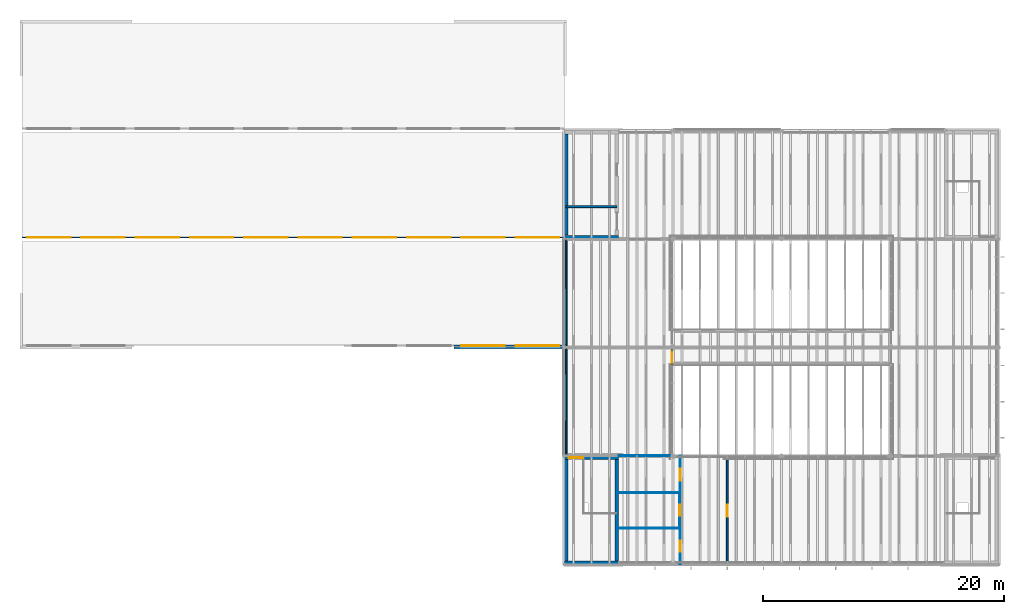
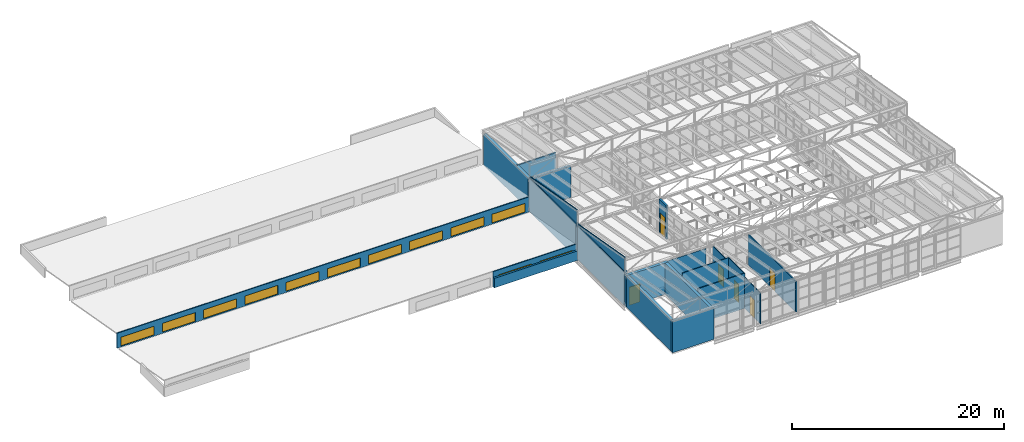
"""IFC4 building model written with IfcOpenShell, lengths in metres."""

from ifc_helpers import new_model, si_unit, direction, frame, frame_2d, origin, place, context, subcontext, project, spatial, polyline, rectangle, outline, extrude, material, layer, layer_set, type_object, element, fill, save


model = new_model("IFC4")

# Units and contexts
model_context = context("Model", 3, precision=1e-05, world=origin(), true_north=direction((0.0, 1.0)))
body_context = subcontext(model_context, "Body", "Model", "MODEL_VIEW")
ifc_project = project(units=[si_unit("LENGTHUNIT", "METRE"), si_unit("AREAUNIT", "SQUARE_METRE"), si_unit("VOLUMEUNIT", "CUBIC_METRE"), si_unit("PLANEANGLEUNIT", "RADIAN"), si_unit("MASSUNIT", "GRAM", prefix="KILO")], contexts=[model_context])

# Site, building, storey
site_placement = place(None, origin())
site = spatial("IfcSite", under=ifc_project, at=site_placement, CompositionType="ELEMENT")
building_placement = place(site_placement, origin())
building = spatial("IfcBuilding", under=site, at=building_placement, Name="Halyard Row Museum", CompositionType="ELEMENT")
storey_1_placement = place(building_placement, frame((0.0, 0.0, 21.199951171875)))
storey_1 = spatial("IfcBuildingStorey", under=building, at=storey_1_placement, Name="L04", CompositionType="ELEMENT", Elevation=21.199951171875)

# Walls
ifc_material_1 = material(Name="Timber battens on insulated steel-stud wall", Category="steel")
ifc_layer_1 = layer(ifc_material_1, 0.320068359375)
ifc_layer_set_1 = layer_set([ifc_layer_1], Name="Timber battens on insulated steel-stud wall")
wall_type_1 = type_object("IfcWallType", Name="Batten rainscreen wall 320 deep reveal", PredefinedType="SOLIDWALL", material=ifc_layer_set_1)
for number, where, z_axis, x_axis, name in (
    (1, (72.10009765625, 18.125, 0.0), (0.0, 0.0, 1.0), (0.0, 1.0, 0.0), "Wall WL04-802"),
    (2, (72.10009765625, 9.0, 0.0), (0.0, 0.0, 1.0), (0.0, 1.0, 0.0), "Wall WL04-803"),
):
    element("IfcWall", number, at=place(storey_1_placement, frame(where, z_axis=z_axis, x_axis=x_axis)), inside=storey_1, type_object=wall_type_1, Name=name, PredefinedType="SOLIDWALL", context=body_context, shape_type="SweptSolid", body=[
        extrude(rectangle(XDim=8.875, YDim=0.320068359375, at=frame_2d((4.4375, 0.0))), origin(), (0.0, 0.0, 1.0), 3.878173828125),
    ])
ifc_material_2 = material(Name="Concrete 40 MPa", Category="concrete")
ifc_layer_2 = layer(ifc_material_2, 0.300048828125)
ifc_layer_set_2 = layer_set([ifc_layer_2], Name="Concrete 40 MPa")
wall_type_2 = type_object("IfcWallType", Name="Core wall 300 lift shaft", PredefinedType="SOLIDWALL", material=ifc_layer_set_2)
wall_1_placement = place(storey_1_placement, frame((72.0, 27.14990234375, 0.0), z_axis=(0.0, 0.0, 1.0), x_axis=(1.0, 0.0, 0.0)))
element("IfcWall", 3, at=wall_1_placement, inside=storey_1, type_object=wall_type_2, Name="Core wall K7 S L04", PredefinedType="SOLIDWALL", context=body_context, shape_type="SweptSolid", body=[
    extrude(rectangle(XDim=4.5, YDim=0.300048828125, at=frame_2d((2.25, 0.0))), origin(), (0.0, 0.0, 1.0), 3.628173828125),
])
wall_2_placement = place(storey_1_placement, frame((72.14990234375, 27.300048828125, 0.0), z_axis=(0.0, 0.0, 1.0), x_axis=(0.0, 1.0, 0.0)))
element("IfcWall", 4, at=wall_2_placement, inside=storey_1, type_object=wall_type_2, Name="Core wall K7 W L04", PredefinedType="SOLIDWALL", context=body_context, shape_type="SweptSolid", body=[
    extrude(rectangle(XDim=8.39990234375, YDim=0.300048828125, at=frame_2d((4.199951171875, 0.0))), origin(), (0.0, 0.0, 1.0), 3.628173828125),
])
ifc_material_3 = material(Name="Concrete 40 MPa", Category="concrete")
ifc_layer_3 = layer(ifc_material_3, 0.300048828125)
ifc_layer_set_3 = layer_set([ifc_layer_3], Name="Concrete 40 MPa")
wall_type_3 = type_object("IfcWallType", Name="Exitway wall 300 reinforced concrete", PredefinedType="SOLIDWALL", material=ifc_layer_set_3)
wall_3_placement = place(storey_1_placement, frame((72.0, 0.14990234375, 0.0), z_axis=(0.0, 0.0, 1.0), x_axis=(1.0, 0.0, 0.0)))
element("IfcWall", 5, at=wall_3_placement, inside=storey_1, type_object=wall_type_3, Name="Core wall K2A S L04", PredefinedType="SOLIDWALL", context=body_context, shape_type="SweptSolid", body=[
    extrude(rectangle(XDim=4.5, YDim=0.300048828125, at=frame_2d((2.25, 0.0))), origin(), (0.0, 0.0, 1.0), 3.628173828125),
])
wall_4_placement = place(storey_1_placement, frame((76.35009765625, 0.300048828125, 0.0), z_axis=(0.0, 0.0, 1.0), x_axis=(0.0, 1.0, 0.0)))
element("IfcWall", 6, at=wall_4_placement, inside=storey_1, type_object=wall_type_3, Name="Core wall K2A E L04", PredefinedType="SOLIDWALL", context=body_context, shape_type="SweptSolid", body=[
    extrude(rectangle(XDim=8.39990234375, YDim=0.300048828125, at=frame_2d((4.199951171875, 0.0))), origin(), (0.0, 0.0, 1.0), 3.628173828125),
])

# Wall, opening, door
wall_5_placement = place(storey_1_placement, frame((72.0, 8.85009765625, 0.0), z_axis=(0.0, 0.0, 1.0), x_axis=(1.0, 0.0, 0.0)))
wall_5 = element("IfcWall", 7, at=wall_5_placement, inside=storey_1, type_object=wall_type_3, Name="Core wall K2A N L04", PredefinedType="SOLIDWALL", context=body_context, shape_type="SweptSolid", body=[
    extrude(rectangle(XDim=4.5, YDim=0.300048828125, at=frame_2d((2.25, 0.0))), origin(), (0.0, 0.0, 1.0), 3.628173828125),
])
opening_1_placement = place(wall_5_placement, frame((0.35009765625, 0.0, 0.0)))
opening_1 = element("IfcOpeningElement", 8, at=opening_1_placement, cuts=wall_5, Name="Opening DL04-001", PredefinedType="OPENING", context=body_context, shape_type="SweptSolid", body=[
    extrude(rectangle(XDim=1.199951171875, YDim=2.10009765625, at=frame_2d((0.60009765625, 1.050048828125))), frame((0.0, 0.159912109375, 0.0), z_axis=(0.0, -1.0, 0.0), x_axis=(1.0, 0.0, 0.0)), (0.0, 0.0, 1.0), 0.320068359375),
])
ifc_material_4 = material(Name="Fire-resisting timber door leaf and steel frame", Category="steel")
door_type_1 = type_object("IfcDoorType", Name="Exitway door 1200 x 2100 fire rated", OperationType="NOTDEFINED", PredefinedType="DOOR", material=ifc_material_4)
door_1_placement = place(opening_1_placement, frame((1.199951171875, 0.0, 0.0), z_axis=(0.0, 0.0, 1.0), x_axis=(-1.0, 0.0, 0.0)))
door_1 = element("IfcDoor", 9, at=door_1_placement, inside=storey_1, type_object=door_type_1, Name="Exitway door K2A L04", OperationType="SINGLE_SWING_LEFT", OverallHeight=2.10009765625, OverallWidth=1.199951171875, PredefinedType="DOOR", context=body_context, shape_type="SweptSolid", body=[
    extrude(rectangle(XDim=1.199951171875, YDim=2.10009765625, at=frame_2d((0.60009765625, 1.050048828125))), frame((0.0, 0.02490234375, 0.0), z_axis=(0.0, -1.0, 0.0), x_axis=(1.0, 0.0, 0.0)), (0.0, 0.0, 1.0), 0.050048828125),
])
fill(opening_1, door_1)

# Wall
wall_6_placement = place(storey_1_placement, frame((72.14990234375, 0.300048828125, 0.0), z_axis=(0.0, 0.0, 1.0), x_axis=(0.0, 1.0, 0.0)))
element("IfcWall", 10, at=wall_6_placement, inside=storey_1, type_object=wall_type_3, Name="Core wall K2A W L04", PredefinedType="SOLIDWALL", context=body_context, shape_type="SweptSolid", body=[
    extrude(rectangle(XDim=8.39990234375, YDim=0.300048828125, at=frame_2d((4.199951171875, 0.0))), origin(), (0.0, 0.0, 1.0), 3.628173828125),
])

# Wall, opening, door
ifc_material_5 = material(Name="Powder-coated aluminium section", Category="aluminium")
ifc_layer_4 = layer(ifc_material_5, 0.199951171875)
ifc_layer_set_4 = layer_set([ifc_layer_4], Name="Powder-coated aluminium section")
wall_type_4 = type_object("IfcWallType", Name="Fire-resisting screen frame 200", PredefinedType="SOLIDWALL", material=ifc_layer_set_4)
wall_7_placement = place(storey_1_placement, frame((80.919921875, 16.5, 0.0), z_axis=(0.0, 0.0, 1.0), x_axis=(0.0, 1.0, 0.0)))
wall_7 = element("IfcWall", 11, at=wall_7_placement, inside=storey_1, type_object=wall_type_4, Name="Wall WL04-807", PredefinedType="SOLIDWALL", context=body_context, shape_type="SweptSolid", body=[
    extrude(rectangle(XDim=1.322265625, YDim=0.199951171875, at=frame_2d((0.6611328125, 0.0))), origin(), (0.0, 0.0, 1.0), 3.878173828125),
])
opening_2_placement = place(wall_7_placement, frame((0.1611328125, 0.0, 0.0)))
opening_2 = element("IfcOpeningElement", 12, at=opening_2_placement, cuts=wall_7, Name="Opening DL04-403", PredefinedType="OPENING", context=body_context, shape_type="SweptSolid", body=[
    extrude(rectangle(XDim=1.0, YDim=2.39990234375, at=frame_2d((0.5, 1.199951171875))), frame((0.0, 0.10986328125, 0.0), z_axis=(0.0, -1.0, 0.0), x_axis=(1.0, 0.0, 0.0)), (0.0, 0.0, 1.0), 0.219970703125),
])
ifc_material_6 = material(Name="Powder-coated aluminium section", Category="aluminium")
door_type_2 = type_object("IfcDoorType", Name="Door DE10 atrium screen single 1000 x 2400", OperationType="NOTDEFINED", PredefinedType="DOOR", material=ifc_material_6)
door_2_placement = place(opening_2_placement, origin())
door_2 = element("IfcDoor", 13, at=door_2_placement, inside=storey_1, type_object=door_type_2, Name="Door DL04-403", OperationType="SINGLE_SWING_LEFT", OverallHeight=2.39990234375, OverallWidth=1.0, PredefinedType="DOOR", context=body_context, shape_type="SweptSolid", body=[
    extrude(rectangle(XDim=1.0, YDim=2.39990234375, at=frame_2d((0.5, 1.199951171875))), frame((0.0, 0.02490234375, 0.0), z_axis=(0.0, -1.0, 0.0), x_axis=(1.0, 0.0, 0.0)), (0.0, 0.0, 1.0), 0.050048828125),
])
fill(opening_2, door_2)

# Walls
ifc_material_7 = material(Name="Aluminium glazing frame with laminated glass", Category="aluminium")
ifc_layer_5 = layer(ifc_material_7, 0.10009765625)
ifc_layer_set_5 = layer_set([ifc_layer_5], Name="Aluminium glazing frame with laminated glass")
wall_type_5 = type_object("IfcWallType", Name="Gable glazed infill frame 100", PredefinedType="SOLIDWALL", material=ifc_layer_set_5)
wall_8_placement = place(storey_1_placement, frame((72.10009765625, 9.174560546875, 3.878173828125), z_axis=(0.0, 0.0, 1.0), x_axis=(0.0, 1.0, 0.0)))
element("IfcWall", 14, at=wall_8_placement, inside=storey_1, type_object=wall_type_5, Name="Wall WL04-808", PredefinedType="SOLIDWALL", context=body_context, shape_type="SweptSolid", body=[
    extrude(outline(polyline([(0.0, 0.0), (8.825439453125, 0.0), (8.825439453125, 0.050048828125), (0.0, 1.60009765625), (0.0, 0.0)])), frame((0.0, 0.050048828125, 0.0), z_axis=(0.0, -1.0, 0.0), x_axis=(1.0, 0.0, 0.0)), (0.0, 0.0, 1.0), 0.10009765625),
])
wall_9_placement = place(storey_1_placement, frame((72.10009765625, 18.18896484375, 3.878173828125), z_axis=(0.0, 0.0, 1.0), x_axis=(0.0, 1.0, 0.0)))
element("IfcWall", 15, at=wall_9_placement, inside=storey_1, type_object=wall_type_5, Name="Wall WL04-810", PredefinedType="SOLIDWALL", context=body_context, shape_type="SweptSolid", body=[
    extrude(outline(polyline([(0.0, 0.0), (8.81103515625, 0.0), (8.81103515625, 0.050048828125), (0.0, 1.60009765625), (0.0, 0.0)])), frame((0.0, 0.050048828125, 0.0), z_axis=(0.0, -1.0, 0.0), x_axis=(1.0, 0.0, 0.0)), (0.0, 0.0, 1.0), 0.10009765625),
])
ifc_material_8 = material(Name="Concrete 40 MPa", Category="concrete")
ifc_layer_6 = layer(ifc_material_8, 0.14990234375)
ifc_layer_set_6 = layer_set([ifc_layer_6], Name="Concrete 40 MPa")
wall_type_6 = type_object("IfcWallType", Name="Lift shaft divider 150", PredefinedType="SOLIDWALL", material=ifc_layer_set_6)
wall_10_placement = place(storey_1_placement, frame((72.14990234375, 29.675048828125, 0.0), z_axis=(0.0, 0.0, 1.0), x_axis=(1.0, 0.0, 0.0)))
element("IfcWall", 16, at=wall_10_placement, inside=storey_1, type_object=wall_type_6, Name="Shaft divider PL1 L04", PredefinedType="SOLIDWALL", context=body_context, shape_type="SweptSolid", body=[
    extrude(rectangle(XDim=4.2001953125, YDim=0.14990234375, at=frame_2d((2.10009765625, 0.0))), origin(), (0.0, 0.0, 1.0), 3.628173828125),
])
ifc_material_9 = material(Name="Standing-seam roofing on insulated timber deck", Category="wood")
ifc_layer_7 = layer(ifc_material_9, 0.199951171875)
ifc_layer_set_7 = layer_set([ifc_layer_7], Name="Standing-seam roofing on insulated timber deck")
wall_type_7 = type_object("IfcWallType", Name="Roof parapet 200 timber-clad 1100", PredefinedType="PARAPET", material=ifc_layer_set_7)
wall_11_placement = place(storey_1_placement, frame((62.85009765625, 17.949951171875, -0.121826171875), z_axis=(0.0, 0.0, 1.0), x_axis=(1.0, 0.0, 0.0)))
element("IfcWall", 17, at=wall_11_placement, inside=storey_1, type_object=wall_type_7, Name="Wall PAC-05", PredefinedType="PARAPET", context=body_context, shape_type="SweptSolid", body=[
    extrude(rectangle(XDim=9.2998046875, YDim=0.199951171875, at=frame_2d((4.64990234375, 0.0))), origin(), (0.0, 0.0, 1.0), 1.10009765625),
])

# Wall, openings
ifc_material_10 = material(Name="Insulated steel-stud upstand with aluminium cladding", Category="steel")
ifc_layer_8 = layer(ifc_material_10, 0.10009765625)
ifc_layer_set_8 = layer_set([ifc_layer_8], Name="Insulated steel-stud upstand with aluminium cladding")
wall_type_8 = type_object("IfcWallType", Name="Rooflight upstand wall 100", PredefinedType="SOLIDWALL", material=ifc_layer_set_8)
wall_12_placement = place(storey_1_placement, frame((62.85009765625, 18.138916015625, -0.121826171875), z_axis=(0.0, 0.0, 1.0), x_axis=(1.0, 0.0, 0.0)))
wall_12 = element("IfcWall", 18, at=wall_12_placement, inside=storey_1, type_object=wall_type_8, Name="Wall UWV1-T1a-3", PredefinedType="SOLIDWALL", context=body_context, shape_type="SweptSolid", body=[
    extrude(rectangle(XDim=9.14990234375, YDim=0.10009765625, at=frame_2d((4.574951171875, 0.0))), origin(), (0.0, 0.0, 1.0), 1.721923828125),
])
opening_3_placement = place(wall_12_placement, frame((0.60009765625, 0.0, 0.14990234375)))
opening_3 = element("IfcOpeningElement", 19, at=opening_3_placement, cuts=wall_12, Name="Opening RLV1-T1a-3-01", PredefinedType="OPENING", context=body_context, shape_type="SweptSolid", body=[
    extrude(rectangle(XDim=3.60009765625, YDim=1.0, at=frame_2d((1.800048828125, 0.5))), frame((0.0, 0.06005859375, 0.0), z_axis=(0.0, -1.0, 0.0), x_axis=(1.0, 0.0, 0.0)), (0.0, 0.0, 1.0), 0.1201171875),
])
opening_4_placement = place(wall_12_placement, frame((5.10009765625, 0.0, 0.14990234375)))
opening_4 = element("IfcOpeningElement", 20, at=opening_4_placement, cuts=wall_12, Name="Opening RLV1-T1a-3-02", PredefinedType="OPENING", context=body_context, shape_type="SweptSolid", body=[
    extrude(rectangle(XDim=3.60009765625, YDim=1.0, at=frame_2d((1.800048828125, 0.5))), frame((0.0, 0.06005859375, 0.0), z_axis=(0.0, -1.0, 0.0), x_axis=(1.0, 0.0, 0.0)), (0.0, 0.0, 1.0), 0.1201171875),
])

# Storey
storey_2_placement = place(building_placement, frame((0.0, 0.0, 13.39990234375)))
storey_2 = spatial("IfcBuildingStorey", under=building, at=storey_2_placement, Name="L03", CompositionType="ELEMENT", Elevation=13.39990234375)

# Window
ifc_material_11 = material(Name="Double glazed unit, low-emissivity", Category="glass")
window_type = type_object("IfcWindowType", Name="Rooflight 3600 x 1000 riser", PartitioningType="SINGLE_PANEL", PredefinedType="SKYLIGHT", material=ifc_material_11)
window_1_placement = place(opening_3_placement, origin())
window_1 = element("IfcWindow", 21, at=window_1_placement, inside=storey_2, type_object=window_type, Name="Rooflight", OverallHeight=1.0, OverallWidth=3.60009765625, PartitioningType="SINGLE_PANEL", PredefinedType="SKYLIGHT", context=body_context, shape_type="SweptSolid", body=[
    extrude(rectangle(XDim=3.60009765625, YDim=1.0, at=frame_2d((1.800048828125, 0.5))), frame((0.0, 0.030029296875, 0.0), z_axis=(0.0, -1.0, 0.0), x_axis=(1.0, 0.0, 0.0)), (0.0, 0.0, 1.0), 0.06005859375),
])

fill(opening_3, window_1)

window_2_placement = place(opening_4_placement, origin())
window_2 = element("IfcWindow", 22, at=window_2_placement, inside=storey_2, type_object=window_type, Name="Rooflight", OverallHeight=1.0, OverallWidth=3.60009765625, PartitioningType="SINGLE_PANEL", PredefinedType="SKYLIGHT", context=body_context, shape_type="SweptSolid", body=[
    extrude(rectangle(XDim=3.60009765625, YDim=1.0, at=frame_2d((1.800048828125, 0.5))), frame((0.0, 0.030029296875, 0.0), z_axis=(0.0, -1.0, 0.0), x_axis=(1.0, 0.0, 0.0)), (0.0, 0.0, 1.0), 0.06005859375),
])

fill(opening_4, window_2)

# Wall, openings, windows
wall_13_placement = place(storey_1_placement, frame((27.0, 27.12451171875, -0.146240234375), z_axis=(0.0, 0.0, 1.0), x_axis=(1.0, 0.0, 0.0)))
wall_13 = element("IfcWall", 23, at=wall_13_placement, inside=storey_1, type_object=wall_type_8, Name="Wall UWV1-T2a", PredefinedType="SOLIDWALL", context=body_context, shape_type="SweptSolid", body=[
    extrude(rectangle(XDim=45.0, YDim=0.10009765625, at=frame_2d((22.5, 0.0))), origin(), (0.0, 0.0, 1.0), 1.746337890625),
])
opening_5_placement = place(wall_13_placement, frame((0.449951171875, 0.0, 0.14990234375)))
opening_5 = element("IfcOpeningElement", 24, at=opening_5_placement, cuts=wall_13, Name="Opening RLV1-T2a-01", PredefinedType="OPENING", context=body_context, shape_type="SweptSolid", body=[
    extrude(rectangle(XDim=3.60009765625, YDim=1.0, at=frame_2d((1.800048828125, 0.5))), frame((0.0, 0.06005859375, 0.0), z_axis=(0.0, -1.0, 0.0), x_axis=(1.0, 0.0, 0.0)), (0.0, 0.0, 1.0), 0.1201171875),
])
opening_6_placement = place(wall_13_placement, frame((4.949951171875, 0.0, 0.14990234375)))
opening_6 = element("IfcOpeningElement", 25, at=opening_6_placement, cuts=wall_13, Name="Opening RLV1-T2a-02", PredefinedType="OPENING", context=body_context, shape_type="SweptSolid", body=[
    extrude(rectangle(XDim=3.60009765625, YDim=1.0, at=frame_2d((1.800048828125, 0.5))), frame((0.0, 0.06005859375, 0.0), z_axis=(0.0, -1.0, 0.0), x_axis=(1.0, 0.0, 0.0)), (0.0, 0.0, 1.0), 0.1201171875),
])
opening_7_placement = place(wall_13_placement, frame((9.449951171875, 0.0, 0.14990234375)))
opening_7 = element("IfcOpeningElement", 26, at=opening_7_placement, cuts=wall_13, Name="Opening RLV1-T2a-03", PredefinedType="OPENING", context=body_context, shape_type="SweptSolid", body=[
    extrude(rectangle(XDim=3.60009765625, YDim=1.0, at=frame_2d((1.800048828125, 0.5))), frame((0.0, 0.06005859375, 0.0), z_axis=(0.0, -1.0, 0.0), x_axis=(1.0, 0.0, 0.0)), (0.0, 0.0, 1.0), 0.1201171875),
])
opening_8_placement = place(wall_13_placement, frame((13.949951171875, 0.0, 0.14990234375)))
opening_8 = element("IfcOpeningElement", 27, at=opening_8_placement, cuts=wall_13, Name="Opening RLV1-T2a-04", PredefinedType="OPENING", context=body_context, shape_type="SweptSolid", body=[
    extrude(rectangle(XDim=3.60009765625, YDim=1.0, at=frame_2d((1.800048828125, 0.5))), frame((0.0, 0.06005859375, 0.0), z_axis=(0.0, -1.0, 0.0), x_axis=(1.0, 0.0, 0.0)), (0.0, 0.0, 1.0), 0.1201171875),
])
opening_9_placement = place(wall_13_placement, frame((18.449951171875, 0.0, 0.14990234375)))
opening_9 = element("IfcOpeningElement", 28, at=opening_9_placement, cuts=wall_13, Name="Opening RLV1-T2a-05", PredefinedType="OPENING", context=body_context, shape_type="SweptSolid", body=[
    extrude(rectangle(XDim=3.60009765625, YDim=1.0, at=frame_2d((1.800048828125, 0.5))), frame((0.0, 0.06005859375, 0.0), z_axis=(0.0, -1.0, 0.0), x_axis=(1.0, 0.0, 0.0)), (0.0, 0.0, 1.0), 0.1201171875),
])
opening_10_placement = place(wall_13_placement, frame((22.949951171875, 0.0, 0.14990234375)))
opening_10 = element("IfcOpeningElement", 29, at=opening_10_placement, cuts=wall_13, Name="Opening RLV1-T2a-06", PredefinedType="OPENING", context=body_context, shape_type="SweptSolid", body=[
    extrude(rectangle(XDim=3.60009765625, YDim=1.0, at=frame_2d((1.800048828125, 0.5))), frame((0.0, 0.06005859375, 0.0), z_axis=(0.0, -1.0, 0.0), x_axis=(1.0, 0.0, 0.0)), (0.0, 0.0, 1.0), 0.1201171875),
])
opening_11_placement = place(wall_13_placement, frame((27.449951171875, 0.0, 0.14990234375)))
opening_11 = element("IfcOpeningElement", 30, at=opening_11_placement, cuts=wall_13, Name="Opening RLV1-T2a-07", PredefinedType="OPENING", context=body_context, shape_type="SweptSolid", body=[
    extrude(rectangle(XDim=3.60009765625, YDim=1.0, at=frame_2d((1.800048828125, 0.5))), frame((0.0, 0.06005859375, 0.0), z_axis=(0.0, -1.0, 0.0), x_axis=(1.0, 0.0, 0.0)), (0.0, 0.0, 1.0), 0.1201171875),
])
opening_12_placement = place(wall_13_placement, frame((31.949951171875, 0.0, 0.14990234375)))
opening_12 = element("IfcOpeningElement", 31, at=opening_12_placement, cuts=wall_13, Name="Opening RLV1-T2a-08", PredefinedType="OPENING", context=body_context, shape_type="SweptSolid", body=[
    extrude(rectangle(XDim=3.60009765625, YDim=1.0, at=frame_2d((1.800048828125, 0.5))), frame((0.0, 0.06005859375, 0.0), z_axis=(0.0, -1.0, 0.0), x_axis=(1.0, 0.0, 0.0)), (0.0, 0.0, 1.0), 0.1201171875),
])
opening_13_placement = place(wall_13_placement, frame((36.449951171875, 0.0, 0.14990234375)))
opening_13 = element("IfcOpeningElement", 32, at=opening_13_placement, cuts=wall_13, Name="Opening RLV1-T2a-09", PredefinedType="OPENING", context=body_context, shape_type="SweptSolid", body=[
    extrude(rectangle(XDim=3.60009765625, YDim=1.0, at=frame_2d((1.800048828125, 0.5))), frame((0.0, 0.06005859375, 0.0), z_axis=(0.0, -1.0, 0.0), x_axis=(1.0, 0.0, 0.0)), (0.0, 0.0, 1.0), 0.1201171875),
])
opening_14_placement = place(wall_13_placement, frame((40.949951171875, 0.0, 0.14990234375)))
opening_14 = element("IfcOpeningElement", 33, at=opening_14_placement, cuts=wall_13, Name="Opening RLV1-T2a-10", PredefinedType="OPENING", context=body_context, shape_type="SweptSolid", body=[
    extrude(rectangle(XDim=3.60009765625, YDim=1.0, at=frame_2d((1.800048828125, 0.5))), frame((0.0, 0.06005859375, 0.0), z_axis=(0.0, -1.0, 0.0), x_axis=(1.0, 0.0, 0.0)), (0.0, 0.0, 1.0), 0.1201171875),
])
window_3_placement = place(opening_5_placement, origin())
window_3 = element("IfcWindow", 34, at=window_3_placement, inside=storey_2, type_object=window_type, Name="Rooflight", OverallHeight=1.0, OverallWidth=3.60009765625, PartitioningType="SINGLE_PANEL", PredefinedType="SKYLIGHT", context=body_context, shape_type="SweptSolid", body=[
    extrude(rectangle(XDim=3.60009765625, YDim=1.0, at=frame_2d((1.800048828125, 0.5))), frame((0.0, 0.030029296875, 0.0), z_axis=(0.0, -1.0, 0.0), x_axis=(1.0, 0.0, 0.0)), (0.0, 0.0, 1.0), 0.06005859375),
])
fill(opening_5, window_3)
window_4_placement = place(opening_6_placement, origin())
window_4 = element("IfcWindow", 35, at=window_4_placement, inside=storey_2, type_object=window_type, Name="Rooflight", OverallHeight=1.0, OverallWidth=3.60009765625, PartitioningType="SINGLE_PANEL", PredefinedType="SKYLIGHT", context=body_context, shape_type="SweptSolid", body=[
    extrude(rectangle(XDim=3.60009765625, YDim=1.0, at=frame_2d((1.800048828125, 0.5))), frame((0.0, 0.030029296875, 0.0), z_axis=(0.0, -1.0, 0.0), x_axis=(1.0, 0.0, 0.0)), (0.0, 0.0, 1.0), 0.06005859375),
])
fill(opening_6, window_4)
window_5_placement = place(opening_7_placement, origin())
window_5 = element("IfcWindow", 36, at=window_5_placement, inside=storey_2, type_object=window_type, Name="Rooflight", OverallHeight=1.0, OverallWidth=3.60009765625, PartitioningType="SINGLE_PANEL", PredefinedType="SKYLIGHT", context=body_context, shape_type="SweptSolid", body=[
    extrude(rectangle(XDim=3.60009765625, YDim=1.0, at=frame_2d((1.800048828125, 0.5))), frame((0.0, 0.030029296875, 0.0), z_axis=(0.0, -1.0, 0.0), x_axis=(1.0, 0.0, 0.0)), (0.0, 0.0, 1.0), 0.06005859375),
])
fill(opening_7, window_5)
window_6_placement = place(opening_8_placement, origin())
window_6 = element("IfcWindow", 37, at=window_6_placement, inside=storey_2, type_object=window_type, Name="Rooflight", OverallHeight=1.0, OverallWidth=3.60009765625, PartitioningType="SINGLE_PANEL", PredefinedType="SKYLIGHT", context=body_context, shape_type="SweptSolid", body=[
    extrude(rectangle(XDim=3.60009765625, YDim=1.0, at=frame_2d((1.800048828125, 0.5))), frame((0.0, 0.030029296875, 0.0), z_axis=(0.0, -1.0, 0.0), x_axis=(1.0, 0.0, 0.0)), (0.0, 0.0, 1.0), 0.06005859375),
])
fill(opening_8, window_6)
window_7_placement = place(opening_9_placement, origin())
window_7 = element("IfcWindow", 38, at=window_7_placement, inside=storey_2, type_object=window_type, Name="Rooflight", OverallHeight=1.0, OverallWidth=3.60009765625, PartitioningType="SINGLE_PANEL", PredefinedType="SKYLIGHT", context=body_context, shape_type="SweptSolid", body=[
    extrude(rectangle(XDim=3.60009765625, YDim=1.0, at=frame_2d((1.800048828125, 0.5))), frame((0.0, 0.030029296875, 0.0), z_axis=(0.0, -1.0, 0.0), x_axis=(1.0, 0.0, 0.0)), (0.0, 0.0, 1.0), 0.06005859375),
])
fill(opening_9, window_7)
window_8_placement = place(opening_10_placement, origin())
window_8 = element("IfcWindow", 39, at=window_8_placement, inside=storey_2, type_object=window_type, Name="Rooflight", OverallHeight=1.0, OverallWidth=3.60009765625, PartitioningType="SINGLE_PANEL", PredefinedType="SKYLIGHT", context=body_context, shape_type="SweptSolid", body=[
    extrude(rectangle(XDim=3.60009765625, YDim=1.0, at=frame_2d((1.800048828125, 0.5))), frame((0.0, 0.030029296875, 0.0), z_axis=(0.0, -1.0, 0.0), x_axis=(1.0, 0.0, 0.0)), (0.0, 0.0, 1.0), 0.06005859375),
])
fill(opening_10, window_8)
window_9_placement = place(opening_11_placement, origin())
window_9 = element("IfcWindow", 40, at=window_9_placement, inside=storey_2, type_object=window_type, Name="Rooflight", OverallHeight=1.0, OverallWidth=3.60009765625, PartitioningType="SINGLE_PANEL", PredefinedType="SKYLIGHT", context=body_context, shape_type="SweptSolid", body=[
    extrude(rectangle(XDim=3.60009765625, YDim=1.0, at=frame_2d((1.800048828125, 0.5))), frame((0.0, 0.030029296875, 0.0), z_axis=(0.0, -1.0, 0.0), x_axis=(1.0, 0.0, 0.0)), (0.0, 0.0, 1.0), 0.06005859375),
])
fill(opening_11, window_9)
window_10_placement = place(opening_12_placement, origin())
window_10 = element("IfcWindow", 41, at=window_10_placement, inside=storey_2, type_object=window_type, Name="Rooflight", OverallHeight=1.0, OverallWidth=3.60009765625, PartitioningType="SINGLE_PANEL", PredefinedType="SKYLIGHT", context=body_context, shape_type="SweptSolid", body=[
    extrude(rectangle(XDim=3.60009765625, YDim=1.0, at=frame_2d((1.800048828125, 0.5))), frame((0.0, 0.030029296875, 0.0), z_axis=(0.0, -1.0, 0.0), x_axis=(1.0, 0.0, 0.0)), (0.0, 0.0, 1.0), 0.06005859375),
])
fill(opening_12, window_10)
window_11_placement = place(opening_13_placement, origin())
window_11 = element("IfcWindow", 42, at=window_11_placement, inside=storey_2, type_object=window_type, Name="Rooflight", OverallHeight=1.0, OverallWidth=3.60009765625, PartitioningType="SINGLE_PANEL", PredefinedType="SKYLIGHT", context=body_context, shape_type="SweptSolid", body=[
    extrude(rectangle(XDim=3.60009765625, YDim=1.0, at=frame_2d((1.800048828125, 0.5))), frame((0.0, 0.030029296875, 0.0), z_axis=(0.0, -1.0, 0.0), x_axis=(1.0, 0.0, 0.0)), (0.0, 0.0, 1.0), 0.06005859375),
])
fill(opening_13, window_11)
window_12_placement = place(opening_14_placement, origin())
window_12 = element("IfcWindow", 43, at=window_12_placement, inside=storey_2, type_object=window_type, Name="Rooflight", OverallHeight=1.0, OverallWidth=3.60009765625, PartitioningType="SINGLE_PANEL", PredefinedType="SKYLIGHT", context=body_context, shape_type="SweptSolid", body=[
    extrude(rectangle(XDim=3.60009765625, YDim=1.0, at=frame_2d((1.800048828125, 0.5))), frame((0.0, 0.030029296875, 0.0), z_axis=(0.0, -1.0, 0.0), x_axis=(1.0, 0.0, 0.0)), (0.0, 0.0, 1.0), 0.06005859375),
])
fill(opening_14, window_12)

# Wall, opening, door
ifc_material_12 = material(Name="Plasterboard on steel studs with mineral wool", Category="steel")
ifc_layer_9 = layer(ifc_material_12, 0.125)
ifc_layer_set_9 = layer_set([ifc_layer_9], Name="Plasterboard on steel studs with mineral wool")
wall_type_9 = type_object("IfcWallType", Name="Stud partition 125 fire rated", PredefinedType="PARTITIONING", material=ifc_layer_set_9)
wall_14_placement = place(storey_1_placement, frame((85.5, 0.0, 0.0), z_axis=(0.0, 0.0, 1.0), x_axis=(0.0, 1.0, 0.0)))
wall_14 = element("IfcWall", 44, at=wall_14_placement, inside=storey_1, type_object=wall_type_9, Name="Partition Skylit Gallery South / WC Lobby L04", PredefinedType="PARTITIONING", context=body_context, shape_type="SweptSolid", body=[
    extrude(rectangle(XDim=9.0, YDim=0.125, at=frame_2d((4.5, 0.0))), origin(), (0.0, 0.0, 1.0), 3.539794921875),
])
opening_15_placement = place(wall_14_placement, frame((3.949951171875, 0.0, 0.0)))
opening_15 = element("IfcOpeningElement", 45, at=opening_15_placement, cuts=wall_14, Name="Opening DL04-008", PredefinedType="OPENING", context=body_context, shape_type="SweptSolid", body=[
    extrude(rectangle(XDim=1.0, YDim=2.10009765625, at=frame_2d((0.5, 1.050048828125))), frame((0.0, 0.072509765625, 0.0), z_axis=(0.0, -1.0, 0.0), x_axis=(1.0, 0.0, 0.0)), (0.0, 0.0, 1.0), 0.14501953125),
])
ifc_material_13 = material(Name="Timber veneered door leaf and softwood frame", Category="wood")
door_type_3 = type_object("IfcDoorType", Name="Single door 1000 x 2100 fire rated", OperationType="NOTDEFINED", PredefinedType="DOOR", material=ifc_material_13)
door_3_placement = place(opening_15_placement, origin())
door_3 = element("IfcDoor", 46, at=door_3_placement, inside=storey_1, type_object=door_type_3, Name="Door WC Lobby L04 to Skylit Gallery South", OperationType="SINGLE_SWING_LEFT", OverallHeight=2.10009765625, OverallWidth=1.0, PredefinedType="DOOR", context=body_context, shape_type="SweptSolid", body=[
    extrude(rectangle(XDim=1.0, YDim=2.10009765625, at=frame_2d((0.5, 1.050048828125))), frame((0.0, 0.02490234375, 0.0), z_axis=(0.0, -1.0, 0.0), x_axis=(1.0, 0.0, 0.0)), (0.0, 0.0, 1.0), 0.050048828125),
])
fill(opening_15, door_3)

# Walls
ifc_material_14 = material(Name="Plasterboard on steel studs with mineral wool", Category="steel")
ifc_layer_10 = layer(ifc_material_14, 0.074951171875)
ifc_layer_set_10 = layer_set([ifc_layer_10], Name="Plasterboard on steel studs with mineral wool")
wall_type_10 = type_object("IfcWallType", Name="WC cubicle partition 75", PredefinedType="PARTITIONING", material=ifc_layer_set_10)
wall_15_placement = place(storey_1_placement, frame((76.5, 9.0, 0.0), z_axis=(0.0, 0.0, 1.0), x_axis=(1.0, 0.0, 0.0)))
element("IfcWall", 47, at=wall_15_placement, inside=storey_1, type_object=wall_type_10, Name="Partition Skylit Gallery West / Accessible WC L04", PredefinedType="PARTITIONING", context=body_context, shape_type="SweptSolid", body=[
    extrude(rectangle(XDim=4.322265625, YDim=0.074951171875, at=frame_2d((2.1611328125, 0.0))), origin(), (0.0, 0.0, 1.0), 3.539794921875),
])
for number, where, z_axis, x_axis, name in (
    (48, (76.5, 3.0, 0.0), (0.0, 0.0, 1.0), (1.0, 0.0, 0.0), "Partition WC Women L04 / WC Men L04"),
    (49, (76.5, 5.96240234375, 0.0), (0.0, 0.0, 1.0), (1.0, 0.0, 0.0), "Partition WC Men L04 / Accessible WC L04"),
):
    element("IfcWall", number, at=place(storey_1_placement, frame(where, z_axis=z_axis, x_axis=x_axis)), inside=storey_1, type_object=wall_type_10, Name=name, PredefinedType="PARTITIONING", context=body_context, shape_type="SweptSolid", body=[
        extrude(rectangle(XDim=5.10009765625, YDim=0.074951171875, at=frame_2d((2.550048828125, 0.0))), origin(), (0.0, 0.0, 1.0), 4.050537109375),
    ])

# Wall, opening, door
ifc_material_15 = material(Name="Plasterboard on steel studs with mineral wool", Category="steel")
ifc_layer_11 = layer(ifc_material_15, 0.074951171875)
ifc_layer_set_11 = layer_set([ifc_layer_11], Name="Plasterboard on steel studs with mineral wool")
wall_type_11 = type_object("IfcWallType", Name="WC cubicle partition 75 fire rated", PredefinedType="PARTITIONING", material=ifc_layer_set_11)
wall_16_placement = place(storey_1_placement, frame((81.60009765625, 0.0, 0.0), z_axis=(0.0, 0.0, 1.0), x_axis=(0.0, 1.0, 0.0)))
wall_16 = element("IfcWall", 50, at=wall_16_placement, inside=storey_1, type_object=wall_type_11, Name="Partition WC Lobby L04 / WC Women L04", PredefinedType="PARTITIONING", context=body_context, shape_type="SweptSolid", body=[
    extrude(rectangle(XDim=3.0, YDim=0.074951171875, at=frame_2d((1.5, 0.0))), origin(), (0.0, 0.0, 1.0), 3.60009765625),
])
opening_16_placement = place(wall_16_placement, frame((1.050048828125, 0.0, 0.0)))
opening_16 = element("IfcOpeningElement", 51, at=opening_16_placement, cuts=wall_16, Name="Opening DL04-009", PredefinedType="OPENING", context=body_context, shape_type="SweptSolid", body=[
    extrude(rectangle(XDim=0.89990234375, YDim=2.10009765625, at=frame_2d((0.449951171875, 1.050048828125))), frame((0.0, 0.04736328125, 0.0), z_axis=(0.0, -1.0, 0.0), x_axis=(1.0, 0.0, 0.0)), (0.0, 0.0, 1.0), 0.094970703125),
])
ifc_material_16 = material(Name="Timber veneered door leaf and softwood frame", Category="wood")
door_type_4 = type_object("IfcDoorType", Name="Single door 900 x 2100 fire rated", OperationType="NOTDEFINED", PredefinedType="DOOR", material=ifc_material_16)
door_4_placement = place(opening_16_placement, origin())
door_4 = element("IfcDoor", 52, at=door_4_placement, inside=storey_1, type_object=door_type_4, Name="Door WC Women L04 to WC Lobby L04", OperationType="SINGLE_SWING_RIGHT", OverallHeight=2.10009765625, OverallWidth=0.89990234375, PredefinedType="DOOR", context=body_context, shape_type="SweptSolid", body=[
    extrude(rectangle(XDim=0.89990234375, YDim=2.10009765625, at=frame_2d((0.449951171875, 1.050048828125))), frame((0.0, 0.02490234375, 0.0), z_axis=(0.0, -1.0, 0.0), x_axis=(1.0, 0.0, 0.0)), (0.0, 0.0, 1.0), 0.050048828125),
])
fill(opening_16, door_4)

wall_17_placement = place(storey_1_placement, frame((81.5625, 3.0, 0.0), z_axis=(0.0, 0.0, 1.0), x_axis=(0.0, 1.0, 0.0)))
wall_17 = element("IfcWall", 53, at=wall_17_placement, inside=storey_1, type_object=wall_type_11, Name="Partition WC Lobby L04 / WC Men L04", PredefinedType="PARTITIONING", context=body_context, shape_type="SweptSolid", body=[
    extrude(rectangle(XDim=3.0, YDim=0.074951171875, at=frame_2d((1.5, 0.0))), origin(), (0.0, 0.0, 1.0), 4.050537109375),
])
opening_17_placement = place(wall_17_placement, frame((1.050048828125, 0.0, 0.0)))
opening_17 = element("IfcOpeningElement", 54, at=opening_17_placement, cuts=wall_17, Name="Opening DL04-010", PredefinedType="OPENING", context=body_context, shape_type="SweptSolid", body=[
    extrude(rectangle(XDim=0.89990234375, YDim=2.10009765625, at=frame_2d((0.449951171875, 1.050048828125))), frame((0.0, 0.04736328125, 0.0), z_axis=(0.0, -1.0, 0.0), x_axis=(1.0, 0.0, 0.0)), (0.0, 0.0, 1.0), 0.094970703125),
])
door_5_placement = place(opening_17_placement, origin())
door_5 = element("IfcDoor", 55, at=door_5_placement, inside=storey_1, type_object=door_type_4, Name="Door WC Men L04 to WC Lobby L04", OperationType="SINGLE_SWING_LEFT", OverallHeight=2.10009765625, OverallWidth=0.89990234375, PredefinedType="DOOR", context=body_context, shape_type="SweptSolid", body=[
    extrude(rectangle(XDim=0.89990234375, YDim=2.10009765625, at=frame_2d((0.449951171875, 1.050048828125))), frame((0.0, 0.02490234375, 0.0), z_axis=(0.0, -1.0, 0.0), x_axis=(1.0, 0.0, 0.0)), (0.0, 0.0, 1.0), 0.050048828125),
])
fill(opening_17, door_5)

wall_18_placement = place(storey_1_placement, frame((81.60009765625, 6.0, 0.0), z_axis=(0.0, 0.0, 1.0), x_axis=(0.0, 1.0, 0.0)))
wall_18 = element("IfcWall", 56, at=wall_18_placement, inside=storey_1, type_object=wall_type_11, Name="Partition WC Lobby L04 / Accessible WC L04", PredefinedType="PARTITIONING", context=body_context, shape_type="SweptSolid", body=[
    extrude(rectangle(XDim=3.0, YDim=0.074951171875, at=frame_2d((1.5, 0.0))), origin(), (0.0, 0.0, 1.0), 3.539794921875),
])
opening_18_placement = place(wall_18_placement, frame((0.949951171875, 0.0, 0.0)))
opening_18 = element("IfcOpeningElement", 57, at=opening_18_placement, cuts=wall_18, Name="Opening DL04-011", PredefinedType="OPENING", context=body_context, shape_type="SweptSolid", body=[
    extrude(rectangle(XDim=1.0, YDim=2.10009765625, at=frame_2d((0.5, 1.050048828125))), frame((0.0, 0.04736328125, 0.0), z_axis=(0.0, -1.0, 0.0), x_axis=(1.0, 0.0, 0.0)), (0.0, 0.0, 1.0), 0.094970703125),
])
door_6_placement = place(opening_18_placement, origin())
door_6 = element("IfcDoor", 58, at=door_6_placement, inside=storey_1, type_object=door_type_3, Name="Door Accessible WC L04 to WC Lobby L04", OperationType="SINGLE_SWING_RIGHT", OverallHeight=2.10009765625, OverallWidth=1.0, PredefinedType="DOOR", context=body_context, shape_type="SweptSolid", body=[
    extrude(rectangle(XDim=1.0, YDim=2.10009765625, at=frame_2d((0.5, 1.050048828125))), frame((0.0, 0.02490234375, 0.0), z_axis=(0.0, -1.0, 0.0), x_axis=(1.0, 0.0, 0.0)), (0.0, 0.0, 1.0), 0.050048828125),
])
fill(opening_18, door_6)

save(model, "model.ifc")
